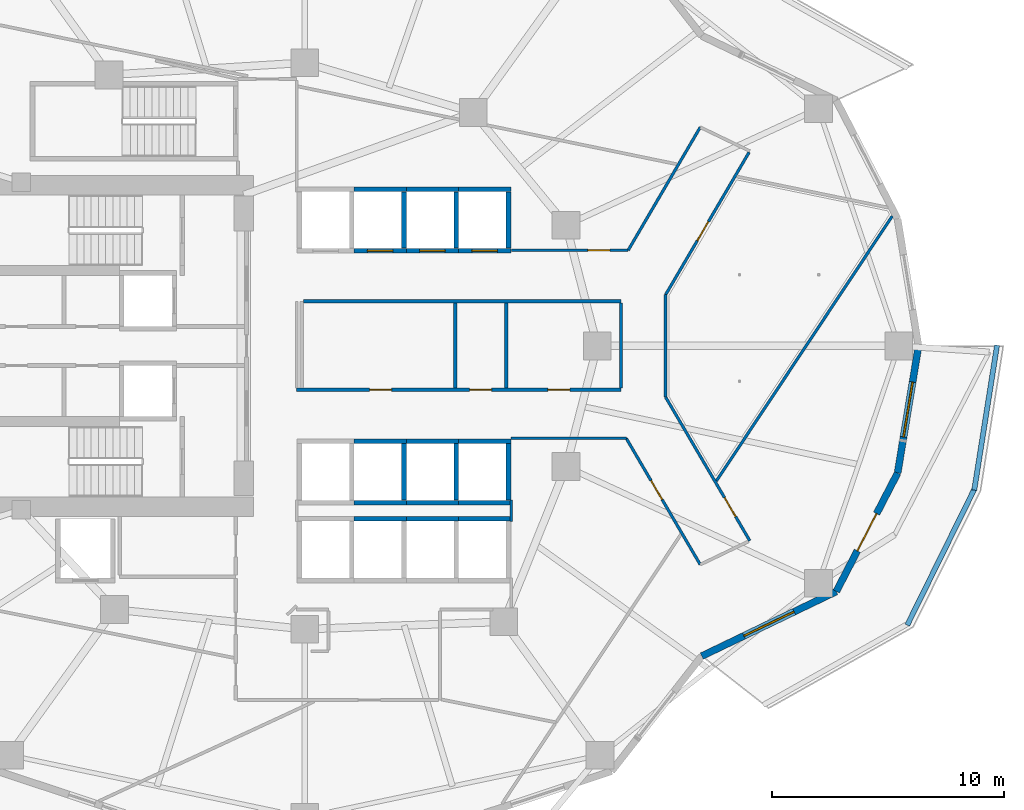
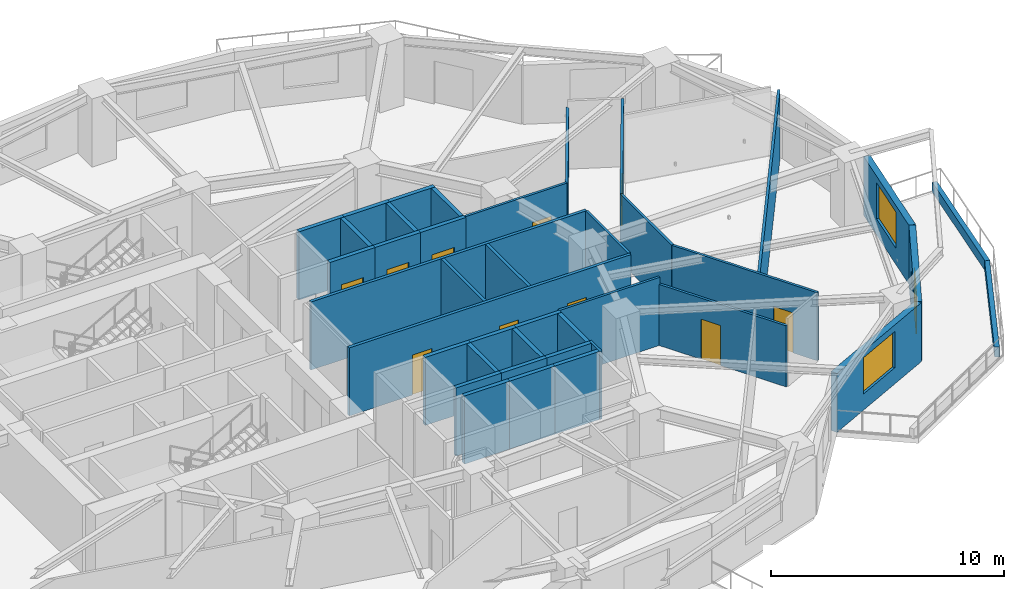
# One storey, part 5 of 14: 40 walls, 11 doors, 2 windows, 13 openings.
"""IFC4 building model written with IfcOpenShell, lengths in metres."""

from ifc_helpers import new_model, si_unit, direction, frame, frame_2d, origin, place, context, subcontext, project, spatial, rectangle, extrude, material, layer, layer_set, type_object, element, fill, save


model = new_model("IFC4")

# Units and contexts
model_context = context("Model", 3, precision=1e-05, world=origin(), true_north=direction((0.0, 1.0)))
body_context = subcontext(model_context, "Body", "Model", "MODEL_VIEW")
ifc_project = project(units=[si_unit("LENGTHUNIT", "METRE"), si_unit("AREAUNIT", "SQUARE_METRE"), si_unit("VOLUMEUNIT", "CUBIC_METRE"), si_unit("PLANEANGLEUNIT", "RADIAN"), si_unit("MASSUNIT", "GRAM", prefix="KILO")], contexts=[model_context])

# Site, building, storey
site_placement = place(None, origin())
site = spatial("IfcSite", under=ifc_project, at=site_placement, CompositionType="ELEMENT")
building_placement = place(site_placement, origin())
building = spatial("IfcBuilding", under=site, at=building_placement, Name="Kolvaren Gate Tower and Convention Centre", CompositionType="ELEMENT")
storey_placement = place(building_placement, frame((0.0, 0.0, 57.300048828125)))
storey = spatial("IfcBuildingStorey", under=building, at=storey_placement, Name="L13", CompositionType="ELEMENT", Elevation=57.300048828125)

# Wall, opening, door
ifc_material_1 = material(Name="Fire-Rated Acoustic Gypsum Stud Partition", Category="gypsum")
ifc_layer_1 = layer(ifc_material_1, 0.1201171875)
ifc_layer_set_1 = layer_set([ifc_layer_1], Name="Fire-Rated Acoustic Gypsum Stud Partition")
wall_type_1 = type_object("IfcWallType", Name="ARCH-WL-PART-120", PredefinedType="PARTITIONING", material=ifc_layer_set_1)
wall_1_placement = place(storey_placement, frame((39.02001953125, 31.1201171875, 0.0), z_axis=(0.0, 0.0, 1.0), x_axis=(1.0, 0.0, 0.0)))
wall_1 = element("IfcWall", 1, at=wall_1_placement, inside=storey, type_object=wall_type_1, Name="Interior Partition WL-L13-INT-026", PredefinedType="PARTITIONING", context=body_context, shape_type="SweptSolid", body=[
    extrude(rectangle(XDim=5.035888671875, YDim=0.1201171875, at=frame_2d((2.51806640625, 0.0))), origin(), (0.0, 0.0, 1.0), 3.570068359375),
])
opening_1_placement = place(wall_1_placement, frame((3.302978515625, 0.0, 0.0)))
opening_1 = element("IfcOpeningElement", 2, at=opening_1_placement, cuts=wall_1, Name="Opening DR-01", PredefinedType="OPENING", context=body_context, shape_type="SweptSolid", body=[
    extrude(rectangle(XDim=0.949951171875, YDim=2.10009765625, at=frame_2d((0.47509765625, 1.050048828125))), frame((0.0, 0.070068359375, 0.0), z_axis=(0.0, -1.0, 0.0), x_axis=(1.0, 0.0, 0.0)), (0.0, 0.0, 1.0), 0.14013671875),
])
ifc_material_2 = material(Name="Painted Architectural Steelwork ASTM A500 Grade C 345 MPa", Category="steel")
door_type_1 = type_object("IfcDoorType", Name="ARCH-DR-RISER-950", OperationType="SINGLE_SWING_RIGHT", PredefinedType="DOOR", material=ifc_material_2)
door_1_placement = place(opening_1_placement, origin())
door_1 = element("IfcDoor", 3, at=door_1_placement, inside=storey, type_object=door_type_1, Name="Client Concierge Reception Door", OperationType="SINGLE_SWING_RIGHT", OverallHeight=2.10009765625, OverallWidth=0.949951171875, PredefinedType="DOOR", context=body_context, shape_type="SweptSolid", body=[
    extrude(rectangle(XDim=0.949951171875, YDim=2.10009765625, at=frame_2d((0.47509765625, 1.050048828125))), frame((0.0, 0.02490234375, 0.0), z_axis=(0.0, -1.0, 0.0), x_axis=(1.0, 0.0, 0.0)), (0.0, 0.0, 1.0), 0.050048828125),
])
fill(opening_1, door_1)

# Wall
wall_2_placement = place(storey_placement, frame((44.055908203125, 31.1201171875, 0.0), z_axis=(0.0, 0.0, 1.0), x_axis=(0.505570543943, 0.86278527172, 0.0)))
element("IfcWall", 4, at=wall_2_placement, inside=storey, type_object=wall_type_1, Name="Interior Partition WL-L13-INT-027", PredefinedType="PARTITIONING", context=body_context, shape_type="SweptSolid", body=[
    extrude(rectangle(XDim=6.1416015625, YDim=0.1201171875, at=frame_2d((3.07080078125, 0.0))), origin(), (0.0, 0.0, 1.0), 3.204833984375),
])

# Wall, opening, door
wall_3_placement = place(storey_placement, frame((45.669921875, 29.20703125, 0.0), z_axis=(0.0, 0.0, 1.0), x_axis=(0.505582857323, 0.86277805627, 0.0)))
wall_3 = element("IfcWall", 5, at=wall_3_placement, inside=storey, type_object=wall_type_1, Name="Interior Partition WL-L13-INT-029", PredefinedType="PARTITIONING", context=body_context, shape_type="SweptSolid", body=[
    extrude(rectangle(XDim=7.107666015625, YDim=0.1201171875, at=frame_2d((3.5537109375, 0.0))), origin(), (0.0, 0.0, 1.0), 3.570068359375),
])
opening_2_placement = place(wall_3_placement, frame((2.694580078125, 0.0, 0.0)))
opening_2 = element("IfcOpeningElement", 6, at=opening_2_placement, cuts=wall_3, Name="Opening DR-01", PredefinedType="OPENING", context=body_context, shape_type="SweptSolid", body=[
    extrude(rectangle(XDim=0.949951171875, YDim=2.10009765625, at=frame_2d((0.47509765625, 1.050048828125))), frame((0.0, 0.070068359375, 0.0), z_axis=(0.0, -1.0, 0.0), x_axis=(1.0, 0.0, 0.0)), (0.0, 0.0, 1.0), 0.14013671875),
])
door_2_placement = place(opening_2_placement, origin())
door_2 = element("IfcDoor", 7, at=door_2_placement, inside=storey, type_object=door_type_1, Name="Materials Exhibition Boutique Door", OperationType="SINGLE_SWING_LEFT", OverallHeight=2.10009765625, OverallWidth=0.949951171875, PredefinedType="DOOR", context=body_context, shape_type="SweptSolid", body=[
    extrude(rectangle(XDim=0.949951171875, YDim=2.10009765625, at=frame_2d((0.47509765625, 1.050048828125))), frame((0.0, 0.02490234375, 0.0), z_axis=(0.0, -1.0, 0.0), x_axis=(1.0, 0.0, 0.0)), (0.0, 0.0, 1.0), 0.050048828125),
])
fill(opening_2, door_2)

# Wall
wall_4_placement = place(storey_placement, frame((45.669921875, 24.79296875, 0.0), z_axis=(0.0, 0.0, 1.0), x_axis=(0.0, 1.0, 0.0)))
element("IfcWall", 8, at=wall_4_placement, inside=storey, type_object=wall_type_1, Name="Interior Partition WL-L13-INT-030", PredefinedType="PARTITIONING", context=body_context, shape_type="SweptSolid", body=[
    extrude(rectangle(XDim=4.4140625, YDim=0.1201171875, at=frame_2d((2.20703125, 0.0))), origin(), (0.0, 0.0, 1.0), 3.570068359375),
])

# Wall, opening, door
wall_5_placement = place(storey_placement, frame((45.669921875, 24.79296875, 0.0), z_axis=(0.0, 0.0, 1.0), x_axis=(0.505584917928, -0.862776848764, 0.0)))
wall_5 = element("IfcWall", 9, at=wall_5_placement, inside=storey, type_object=wall_type_1, Name="Interior Partition WL-L13-INT-031", PredefinedType="PARTITIONING", context=body_context, shape_type="SweptSolid", body=[
    extrude(rectangle(XDim=7.169921875, YDim=0.1201171875, at=frame_2d((3.5849609375, 0.0))), origin(), (0.0, 0.0, 1.0), 3.570068359375),
])
opening_3_placement = place(wall_5_placement, frame((5.015869140625, 0.0, 0.0)))
opening_3 = element("IfcOpeningElement", 10, at=opening_3_placement, cuts=wall_5, Name="Opening DR-01", PredefinedType="OPENING", context=body_context, shape_type="SweptSolid", body=[
    extrude(rectangle(XDim=0.949951171875, YDim=2.10009765625, at=frame_2d((0.47509765625, 1.050048828125))), frame((0.0, 0.070068359375, 0.0), z_axis=(0.0, -1.0, 0.0), x_axis=(1.0, 0.0, 0.0)), (0.0, 0.0, 1.0), 0.14013671875),
])
door_3_placement = place(opening_3_placement, origin())
door_3 = element("IfcDoor", 11, at=door_3_placement, inside=storey, type_object=door_type_1, Name="Staff Dining and Bistro Cafe Door", OperationType="SINGLE_SWING_LEFT", OverallHeight=2.10009765625, OverallWidth=0.949951171875, PredefinedType="DOOR", context=body_context, shape_type="SweptSolid", body=[
    extrude(rectangle(XDim=0.949951171875, YDim=2.10009765625, at=frame_2d((0.47509765625, 1.050048828125))), frame((0.0, 0.02490234375, 0.0), z_axis=(0.0, -1.0, 0.0), x_axis=(1.0, 0.0, 0.0)), (0.0, 0.0, 1.0), 0.050048828125),
])
fill(opening_3, door_3)

wall_6_placement = place(storey_placement, frame((43.97412109375, 23.02001953125, 0.0), z_axis=(0.0, 0.0, 1.0), x_axis=(0.505531634194, -0.862808070679, 0.0)))
wall_6 = element("IfcWall", 12, at=wall_6_placement, inside=storey, type_object=wall_type_1, Name="Interior Partition WL-L13-INT-033", PredefinedType="PARTITIONING", context=body_context, shape_type="SweptSolid", body=[
    extrude(rectangle(XDim=6.3037109375, YDim=0.1201171875, at=frame_2d((3.15185546875, 0.0))), origin(), (0.0, 0.0, 1.0), 3.204833984375),
])
opening_4_placement = place(wall_6_placement, frame((2.108642578125, 0.0, 0.0)))
opening_4 = element("IfcOpeningElement", 13, at=opening_4_placement, cuts=wall_6, Name="Opening DR-01", PredefinedType="OPENING", context=body_context, shape_type="SweptSolid", body=[
    extrude(rectangle(XDim=0.949951171875, YDim=2.10009765625, at=frame_2d((0.47509765625, 1.050048828125))), frame((0.0, 0.070068359375, 0.0), z_axis=(0.0, -1.0, 0.0), x_axis=(1.0, 0.0, 0.0)), (0.0, 0.0, 1.0), 0.14013671875),
])
door_4_placement = place(opening_4_placement, origin())
door_4 = element("IfcDoor", 14, at=door_4_placement, inside=storey, type_object=door_type_1, Name="Client Concierge Reception Door", OperationType="SINGLE_SWING_RIGHT", OverallHeight=2.10009765625, OverallWidth=0.949951171875, PredefinedType="DOOR", context=body_context, shape_type="SweptSolid", body=[
    extrude(rectangle(XDim=0.949951171875, YDim=2.10009765625, at=frame_2d((0.47509765625, 1.050048828125))), frame((0.0, 0.02490234375, 0.0), z_axis=(0.0, -1.0, 0.0), x_axis=(1.0, 0.0, 0.0)), (0.0, 0.0, 1.0), 0.050048828125),
])
fill(opening_4, door_4)

# Walls
wall_7_placement = place(storey_placement, frame((39.0, 23.02001953125, 0.0), z_axis=(0.0, 0.0, 1.0), x_axis=(1.0, 0.0, 0.0)))
element("IfcWall", 15, at=wall_7_placement, inside=storey, type_object=wall_type_1, Name="Interior Partition WL-L13-INT-034", PredefinedType="PARTITIONING", context=body_context, shape_type="SweptSolid", body=[
    extrude(rectangle(XDim=4.97412109375, YDim=0.1201171875, at=frame_2d((2.487060546875, 0.0))), origin(), (0.0, 0.0, 1.0), 3.570068359375),
])
wall_8_placement = place(storey_placement, frame((39.02001953125, 19.43994140625, 0.0), z_axis=(0.0, 0.0, 1.0), x_axis=(0.0, 1.0, 0.0)))
element("IfcWall", 16, at=wall_8_placement, inside=storey, type_object=wall_type_1, Name="Interior Partition WL-L13-INT-035 (2)", PredefinedType="PARTITIONING", context=body_context, shape_type="SweptSolid", body=[
    extrude(rectangle(XDim=0.920166015625, YDim=0.1201171875, at=frame_2d((0.4599609375, 0.0))), origin(), (0.0, 0.0, 1.0), 3.570068359375),
])
wall_9_placement = place(storey_placement, frame((43.75, 25.197021484375, 0.0), z_axis=(0.0, 0.0, 1.0), x_axis=(0.0, 1.0, 0.0)))
element("IfcWall", 17, at=wall_9_placement, inside=storey, type_object=wall_type_1, Name="Interior Partition WL-L13-INT-036", PredefinedType="PARTITIONING", context=body_context, shape_type="SweptSolid", body=[
    extrude(rectangle(XDim=3.64599609375, YDim=0.1201171875, at=frame_2d((1.822998046875, 0.0))), origin(), (0.0, 0.0, 1.0), 3.570068359375),
])
wall_10_placement = place(storey_placement, frame((47.8564453125, 21.1845703125, 0.0), z_axis=(0.0, 0.0, 1.0), x_axis=(0.553102657985, 0.833113107405, 0.0)))
element("IfcWall", 18, at=wall_10_placement, inside=storey, type_object=wall_type_1, Name="Interior Partition WL-L13-INT-044", PredefinedType="PARTITIONING", context=body_context, shape_type="SweptSolid", body=[
    extrude(rectangle(XDim=13.6923828125, YDim=0.1201171875, at=frame_2d((6.84619140625, 0.0))), origin(), (0.0, 0.0, 1.0), 3.570068359375),
])
ifc_material_3 = material(Name="Piedmont Cream Honed Limestone Cladding", Category="masonry")
ifc_layer_2 = layer(ifc_material_3, 0.219970703125)
ifc_layer_set_2 = layer_set([ifc_layer_2], Name="Piedmont Cream Honed Limestone Cladding")
wall_type_2 = type_object("IfcWallType", Name="ARCH-WL-PLANTER-220", PredefinedType="PARAPET", material=ifc_layer_set_2)
wall_11_placement = place(storey_placement, frame((56.077392578125, 14.978515625, 0.0), z_axis=(0.0, 0.0, 1.0), x_axis=(0.442686636348, 0.89667638644, 0.0)))
element("IfcWall", 19, at=wall_11_placement, inside=storey, type_object=wall_type_2, Name="Vertical-Forest Balcony Stone Planter Kerb PK-L13-4.2", PredefinedType="PARAPET", context=body_context, shape_type="SweptSolid", body=[
    extrude(rectangle(XDim=6.544677734375, YDim=0.219970703125, at=frame_2d((3.2724609375, 0.0))), origin(), (0.0, 0.0, 1.0), 0.52001953125),
])
wall_12_placement = place(storey_placement, frame((58.9619140625, 20.7880859375, 0.0), z_axis=(0.0, 0.0, 1.0), x_axis=(0.15545655238, 0.987842730561, 0.0)))
element("IfcWall", 20, at=wall_12_placement, inside=storey, type_object=wall_type_2, Name="Vertical-Forest Balcony Stone Planter Kerb PK-L13-4.3", PredefinedType="PARAPET", context=body_context, shape_type="SweptSolid", body=[
    extrude(rectangle(XDim=6.318115234375, YDim=0.219970703125, at=frame_2d((3.1591796875, 0.0))), origin(), (0.0, 0.0, 1.0), 0.52001953125),
])
ifc_material_4 = material(Name="Autoclaved Aerated Masonry Blockwork Class 4 (4.0 MPa)", Category="masonry")
ifc_layer_3 = layer(ifc_material_4, 0.199951171875)
ifc_layer_set_3 = layer_set([ifc_layer_3], Name="Autoclaved Aerated Masonry Blockwork Class 4 (4.0 MPa)")
wall_type_3 = type_object("IfcWallType", Name="ARCH-WL-SHAFT-200", PredefinedType="SOLIDWALL", material=ifc_layer_set_3)
wall_13_placement = place(storey_placement, frame((32.25, 33.75, 0.0), z_axis=(0.0, 0.0, 1.0), x_axis=(1.0, 0.0, 0.0)))
element("IfcWall", 21, at=wall_13_placement, inside=storey, type_object=wall_type_3, Name="Elevator PL-02 L13 Fire Shaft Wall N", PredefinedType="SOLIDWALL", context=body_context, shape_type="SweptSolid", body=[
    extrude(rectangle(XDim=2.25, YDim=0.199951171875, at=frame_2d((1.125, 0.0))), origin(), (0.0, 0.0, 1.0), 3.570068359375),
])

# Wall, opening, door
wall_14_placement = place(storey_placement, frame((32.25, 31.10009765625, 0.0), z_axis=(0.0, 0.0, 1.0), x_axis=(1.0, 0.0, 0.0)))
wall_14 = element("IfcWall", 22, at=wall_14_placement, inside=storey, type_object=wall_type_3, Name="Elevator PL-02 L13 Fire Shaft Wall S", PredefinedType="SOLIDWALL", context=body_context, shape_type="SweptSolid", body=[
    extrude(rectangle(XDim=2.25, YDim=0.199951171875, at=frame_2d((1.125, 0.0))), origin(), (0.0, 0.0, 1.0), 3.570068359375),
])
opening_5_placement = place(wall_14_placement, frame((0.574951171875, 0.0, 0.0)))
opening_5 = element("IfcOpeningElement", 23, at=opening_5_placement, cuts=wall_14, Name="Opening LD", PredefinedType="OPENING", context=body_context, shape_type="SweptSolid", body=[
    extrude(rectangle(XDim=1.10009765625, YDim=2.199951171875, at=frame_2d((0.550048828125, 1.10009765625))), frame((0.0, 0.10986328125, 0.0), z_axis=(0.0, -1.0, 0.0), x_axis=(1.0, 0.0, 0.0)), (0.0, 0.0, 1.0), 0.219970703125),
])
ifc_material_5 = material(Name="Brushed Stainless Steel Grade 316L", Category="steel")
door_type_2 = type_object("IfcDoorType", Name="ARCH-DR-LIFT-1100", OperationType="SLIDING_TO_LEFT", PredefinedType="DOOR", material=ifc_material_5)
door_5_placement = place(opening_5_placement, origin())
door_5 = element("IfcDoor", 24, at=door_5_placement, inside=storey, type_object=door_type_2, Name="Elevator PL-02 L13 Sliding Landing Door", OperationType="SLIDING_TO_LEFT", OverallHeight=2.199951171875, OverallWidth=1.10009765625, PredefinedType="DOOR", context=body_context, shape_type="SweptSolid", body=[
    extrude(rectangle(XDim=1.10009765625, YDim=2.199951171875, at=frame_2d((0.550048828125, 1.10009765625))), frame((0.0, 0.02490234375, 0.0), z_axis=(0.0, -1.0, 0.0), x_axis=(1.0, 0.0, 0.0)), (0.0, 0.0, 1.0), 0.050048828125),
])
fill(opening_5, door_5)

# Walls
wall_15_placement = place(storey_placement, frame((34.39990234375, 31.2099609375, 0.0), z_axis=(0.0, 0.0, 1.0), x_axis=(0.0, 1.0, 0.0)))
element("IfcWall", 25, at=wall_15_placement, inside=storey, type_object=wall_type_3, Name="Elevator PL-02 L13 Fire Shaft Wall E", PredefinedType="SOLIDWALL", context=body_context, shape_type="SweptSolid", body=[
    extrude(rectangle(XDim=2.429931640625, YDim=0.199951171875, at=frame_2d((1.21484375, 0.0))), origin(), (0.0, 0.0, 1.0), 3.570068359375),
])
wall_16_placement = place(storey_placement, frame((34.5, 33.75, 0.0), z_axis=(0.0, 0.0, 1.0), x_axis=(1.0, 0.0, 0.0)))
element("IfcWall", 26, at=wall_16_placement, inside=storey, type_object=wall_type_3, Name="Elevator PL-03 L13 Fire Shaft Wall N", PredefinedType="SOLIDWALL", context=body_context, shape_type="SweptSolid", body=[
    extrude(rectangle(XDim=2.25, YDim=0.199951171875, at=frame_2d((1.125, 0.0))), origin(), (0.0, 0.0, 1.0), 3.570068359375),
])

# Wall, opening, door
wall_17_placement = place(storey_placement, frame((34.5, 31.10009765625, 0.0), z_axis=(0.0, 0.0, 1.0), x_axis=(1.0, 0.0, 0.0)))
wall_17 = element("IfcWall", 27, at=wall_17_placement, inside=storey, type_object=wall_type_3, Name="Elevator PL-03 L13 Fire Shaft Wall S", PredefinedType="SOLIDWALL", context=body_context, shape_type="SweptSolid", body=[
    extrude(rectangle(XDim=2.25, YDim=0.199951171875, at=frame_2d((1.125, 0.0))), origin(), (0.0, 0.0, 1.0), 3.570068359375),
])
opening_6_placement = place(wall_17_placement, frame((0.574951171875, 0.0, 0.0)))
opening_6 = element("IfcOpeningElement", 28, at=opening_6_placement, cuts=wall_17, Name="Opening LD", PredefinedType="OPENING", context=body_context, shape_type="SweptSolid", body=[
    extrude(rectangle(XDim=1.10009765625, YDim=2.199951171875, at=frame_2d((0.550048828125, 1.10009765625))), frame((0.0, 0.10986328125, 0.0), z_axis=(0.0, -1.0, 0.0), x_axis=(1.0, 0.0, 0.0)), (0.0, 0.0, 1.0), 0.219970703125),
])
door_6_placement = place(opening_6_placement, origin())
door_6 = element("IfcDoor", 29, at=door_6_placement, inside=storey, type_object=door_type_2, Name="Elevator PL-03 L13 Sliding Landing Door", OperationType="SLIDING_TO_LEFT", OverallHeight=2.199951171875, OverallWidth=1.10009765625, PredefinedType="DOOR", context=body_context, shape_type="SweptSolid", body=[
    extrude(rectangle(XDim=1.10009765625, YDim=2.199951171875, at=frame_2d((0.550048828125, 1.10009765625))), frame((0.0, 0.02490234375, 0.0), z_axis=(0.0, -1.0, 0.0), x_axis=(1.0, 0.0, 0.0)), (0.0, 0.0, 1.0), 0.050048828125),
])
fill(opening_6, door_6)

# Walls
wall_18_placement = place(storey_placement, frame((36.64990234375, 31.2099609375, 0.0), z_axis=(0.0, 0.0, 1.0), x_axis=(0.0, 1.0, 0.0)))
element("IfcWall", 30, at=wall_18_placement, inside=storey, type_object=wall_type_3, Name="Elevator PL-03 L13 Fire Shaft Wall E", PredefinedType="SOLIDWALL", context=body_context, shape_type="SweptSolid", body=[
    extrude(rectangle(XDim=2.429931640625, YDim=0.199951171875, at=frame_2d((1.21484375, 0.0))), origin(), (0.0, 0.0, 1.0), 3.570068359375),
])
wall_19_placement = place(storey_placement, frame((36.75, 33.75, 0.0), z_axis=(0.0, 0.0, 1.0), x_axis=(1.0, 0.0, 0.0)))
element("IfcWall", 31, at=wall_19_placement, inside=storey, type_object=wall_type_3, Name="Elevator PL-04 L13 Fire Shaft Wall N", PredefinedType="SOLIDWALL", context=body_context, shape_type="SweptSolid", body=[
    extrude(rectangle(XDim=2.25, YDim=0.199951171875, at=frame_2d((1.125, 0.0))), origin(), (0.0, 0.0, 1.0), 3.570068359375),
])

# Wall, opening, door
wall_20_placement = place(storey_placement, frame((36.75, 31.10009765625, 0.0), z_axis=(0.0, 0.0, 1.0), x_axis=(1.0, 0.0, 0.0)))
wall_20 = element("IfcWall", 32, at=wall_20_placement, inside=storey, type_object=wall_type_3, Name="Elevator PL-04 L13 Fire Shaft Wall S", PredefinedType="SOLIDWALL", context=body_context, shape_type="SweptSolid", body=[
    extrude(rectangle(XDim=2.25, YDim=0.199951171875, at=frame_2d((1.125, 0.0))), origin(), (0.0, 0.0, 1.0), 3.570068359375),
])
opening_7_placement = place(wall_20_placement, frame((0.574951171875, 0.0, 0.0)))
opening_7 = element("IfcOpeningElement", 33, at=opening_7_placement, cuts=wall_20, Name="Opening LD", PredefinedType="OPENING", context=body_context, shape_type="SweptSolid", body=[
    extrude(rectangle(XDim=1.10009765625, YDim=2.199951171875, at=frame_2d((0.550048828125, 1.10009765625))), frame((0.0, 0.10986328125, 0.0), z_axis=(0.0, -1.0, 0.0), x_axis=(1.0, 0.0, 0.0)), (0.0, 0.0, 1.0), 0.219970703125),
])
door_7_placement = place(opening_7_placement, origin())
door_7 = element("IfcDoor", 34, at=door_7_placement, inside=storey, type_object=door_type_2, Name="Elevator PL-04 L13 Sliding Landing Door", OperationType="SLIDING_TO_LEFT", OverallHeight=2.199951171875, OverallWidth=1.10009765625, PredefinedType="DOOR", context=body_context, shape_type="SweptSolid", body=[
    extrude(rectangle(XDim=1.10009765625, YDim=2.199951171875, at=frame_2d((0.550048828125, 1.10009765625))), frame((0.0, 0.02490234375, 0.0), z_axis=(0.0, -1.0, 0.0), x_axis=(1.0, 0.0, 0.0)), (0.0, 0.0, 1.0), 0.050048828125),
])
fill(opening_7, door_7)

# Walls
wall_21_placement = place(storey_placement, frame((38.89990234375, 31.2099609375, 0.0), z_axis=(0.0, 0.0, 1.0), x_axis=(0.0, 1.0, 0.0)))
element("IfcWall", 35, at=wall_21_placement, inside=storey, type_object=wall_type_3, Name="Elevator PL-04 L13 Fire Shaft Wall E", PredefinedType="SOLIDWALL", context=body_context, shape_type="SweptSolid", body=[
    extrude(rectangle(XDim=2.429931640625, YDim=0.199951171875, at=frame_2d((1.21484375, 0.0))), origin(), (0.0, 0.0, 1.0), 3.570068359375),
])
for number, where, z_axis, x_axis, name in (
    (36, (32.25, 19.550048828125, 0.0), (0.0, 0.0, 1.0), (1.0, 0.0, 0.0), "Elevator PL-06 L13 Fire Shaft Wall N"),
    (37, (34.5, 19.550048828125, 0.0), (0.0, 0.0, 1.0), (1.0, 0.0, 0.0), "Elevator PL-07 L13 Fire Shaft Wall N"),
    (38, (36.75, 19.550048828125, 0.0), (0.0, 0.0, 1.0), (1.0, 0.0, 0.0), "Elevator PL-08 L13 Fire Shaft Wall N"),
    (39, (32.25, 22.89990234375, 0.0), (0.0, 0.0, 1.0), (1.0, 0.0, 0.0), "Elevator PL-10 L13 Fire Shaft Wall N"),
    (40, (32.25, 20.25, 0.0), (0.0, 0.0, 1.0), (1.0, 0.0, 0.0), "Elevator PL-10 L13 Fire Shaft Wall S"),
):
    element("IfcWall", number, at=place(storey_placement, frame(where, z_axis=z_axis, x_axis=x_axis)), inside=storey, type_object=wall_type_3, Name=name, PredefinedType="SOLIDWALL", context=body_context, shape_type="SweptSolid", body=[
        extrude(rectangle(XDim=2.25, YDim=0.199951171875, at=frame_2d((1.125, 0.0))), origin(), (0.0, 0.0, 1.0), 3.570068359375),
    ])
wall_22_placement = place(storey_placement, frame((34.39990234375, 20.360107421875, 0.0), z_axis=(0.0, 0.0, 1.0), x_axis=(0.0, 1.0, 0.0)))
element("IfcWall", 41, at=wall_22_placement, inside=storey, type_object=wall_type_3, Name="Elevator PL-10 L13 Fire Shaft Wall E", PredefinedType="SOLIDWALL", context=body_context, shape_type="SweptSolid", body=[
    extrude(rectangle(XDim=2.429931640625, YDim=0.199951171875, at=frame_2d((1.21484375, 0.0))), origin(), (0.0, 0.0, 1.0), 3.570068359375),
])
for number, where, z_axis, x_axis, name in (
    (42, (34.5, 22.89990234375, 0.0), (0.0, 0.0, 1.0), (1.0, 0.0, 0.0), "Elevator PL-11 L13 Fire Shaft Wall N"),
    (43, (34.5, 20.25, 0.0), (0.0, 0.0, 1.0), (1.0, 0.0, 0.0), "Elevator PL-11 L13 Fire Shaft Wall S"),
):
    element("IfcWall", number, at=place(storey_placement, frame(where, z_axis=z_axis, x_axis=x_axis)), inside=storey, type_object=wall_type_3, Name=name, PredefinedType="SOLIDWALL", context=body_context, shape_type="SweptSolid", body=[
        extrude(rectangle(XDim=2.25, YDim=0.199951171875, at=frame_2d((1.125, 0.0))), origin(), (0.0, 0.0, 1.0), 3.570068359375),
    ])
wall_23_placement = place(storey_placement, frame((36.64990234375, 20.360107421875, 0.0), z_axis=(0.0, 0.0, 1.0), x_axis=(0.0, 1.0, 0.0)))
element("IfcWall", 44, at=wall_23_placement, inside=storey, type_object=wall_type_3, Name="Elevator PL-11 L13 Fire Shaft Wall E", PredefinedType="SOLIDWALL", context=body_context, shape_type="SweptSolid", body=[
    extrude(rectangle(XDim=2.429931640625, YDim=0.199951171875, at=frame_2d((1.21484375, 0.0))), origin(), (0.0, 0.0, 1.0), 3.570068359375),
])
for number, where, z_axis, x_axis, name in (
    (45, (36.75, 22.89990234375, 0.0), (0.0, 0.0, 1.0), (1.0, 0.0, 0.0), "Elevator PL-12 L13 Fire Shaft Wall N"),
    (46, (36.75, 20.25, 0.0), (0.0, 0.0, 1.0), (1.0, 0.0, 0.0), "Elevator PL-12 L13 Fire Shaft Wall S"),
):
    element("IfcWall", number, at=place(storey_placement, frame(where, z_axis=z_axis, x_axis=x_axis)), inside=storey, type_object=wall_type_3, Name=name, PredefinedType="SOLIDWALL", context=body_context, shape_type="SweptSolid", body=[
        extrude(rectangle(XDim=2.25, YDim=0.199951171875, at=frame_2d((1.125, 0.0))), origin(), (0.0, 0.0, 1.0), 3.570068359375),
    ])
wall_24_placement = place(storey_placement, frame((38.89990234375, 20.360107421875, 0.0), z_axis=(0.0, 0.0, 1.0), x_axis=(0.0, 1.0, 0.0)))
element("IfcWall", 47, at=wall_24_placement, inside=storey, type_object=wall_type_3, Name="Elevator PL-12 L13 Fire Shaft Wall E", PredefinedType="SOLIDWALL", context=body_context, shape_type="SweptSolid", body=[
    extrude(rectangle(XDim=2.429931640625, YDim=0.199951171875, at=frame_2d((1.21484375, 0.0))), origin(), (0.0, 0.0, 1.0), 3.570068359375),
])

# Wall, opening, window
ifc_layer_4 = layer(ifc_material_3, 0.300048828125)
ifc_layer_set_4 = layer_set([ifc_layer_4], Name="Piedmont Cream Honed Limestone Cladding")
wall_type_4 = type_object("IfcWallType", Name="ARCH-WL-STONE-300", PredefinedType="SOLIDWALL", material=ifc_layer_set_4)
wall_25_placement = place(storey_placement, frame((47.223876953125, 13.639892578125, 0.0), z_axis=(0.0, 0.0, 1.0), x_axis=(0.901354747727, 0.433081538224, 0.0)))
wall_25 = element("IfcWall", 48, at=wall_25_placement, inside=storey, type_object=wall_type_4, Name="Tower L13 Honed Stone Spandrel Wall EW-21", PredefinedType="SOLIDWALL", context=body_context, shape_type="SweptSolid", body=[
    extrude(rectangle(XDim=6.430908203125, YDim=0.300048828125, at=frame_2d((3.21533203125, 0.0))), origin(), (0.0, 0.0, 1.0), 3.093017578125),
])
opening_8_placement = place(wall_25_placement, frame((2.014892578125, 0.0, 0.85009765625)))
opening_8 = element("IfcOpeningElement", 49, at=opening_8_placement, cuts=wall_25, Name="Opening W-01", PredefinedType="OPENING", context=body_context, shape_type="SweptSolid", body=[
    extrude(rectangle(XDim=2.39990234375, YDim=1.89990234375, at=frame_2d((1.199951171875, 0.949951171875))), frame((0.0, 0.159912109375, 0.0), z_axis=(0.0, -1.0, 0.0), x_axis=(1.0, 0.0, 0.0)), (0.0, 0.0, 1.0), 0.320068359375),
])
ifc_material_6 = material(Name="Low-E Triple Insulated Glazing Unit 44 mm", Category="glass")
window_type = type_object("IfcWindowType", Name="ARCH-WN-OFF-2400", PartitioningType="SINGLE_PANEL", PredefinedType="WINDOW", material=ifc_material_6)
window_1_placement = place(opening_8_placement, origin())
window_1 = element("IfcWindow", 50, at=window_1_placement, inside=storey, type_object=window_type, Name="Tower L13 Punched Stone Facade Window W-21", OverallHeight=1.89990234375, OverallWidth=2.39990234375, PartitioningType="SINGLE_PANEL", PredefinedType="WINDOW", context=body_context, shape_type="SweptSolid", body=[
    extrude(rectangle(XDim=2.39990234375, YDim=1.89990234375, at=frame_2d((1.199951171875, 0.949951171875))), frame((0.0, 0.030029296875, 0.0), z_axis=(0.0, -1.0, 0.0), x_axis=(1.0, 0.0, 0.0)), (0.0, 0.0, 1.0), 0.06005859375),
])
fill(opening_8, window_1)

# Wall, opening, door
wall_26_placement = place(storey_placement, frame((53.0205078125, 16.425048828125, 0.0), z_axis=(0.0, 0.0, 1.0), x_axis=(0.459800981414, 0.888021991558, 0.0)))
wall_26 = element("IfcWall", 51, at=wall_26_placement, inside=storey, type_object=wall_type_4, Name="Tower L13 Honed Stone Spandrel Wall EW-22", PredefinedType="SOLIDWALL", context=body_context, shape_type="SweptSolid", body=[
    extrude(rectangle(XDim=5.744140625, YDim=0.300048828125, at=frame_2d((2.8720703125, 0.0))), origin(), (0.0, 0.0, 1.0), 3.093017578125),
])
opening_9_placement = place(wall_26_placement, frame((1.971923828125, 0.0, 0.0)))
opening_9 = element("IfcOpeningElement", 52, at=opening_9_placement, cuts=wall_26, Name="Opening DB-01", PredefinedType="OPENING", context=body_context, shape_type="SweptSolid", body=[
    extrude(rectangle(XDim=1.800048828125, YDim=2.25, at=frame_2d((0.89990234375, 1.125))), frame((0.0, 0.159912109375, 0.0), z_axis=(0.0, -1.0, 0.0), x_axis=(1.0, 0.0, 0.0)), (0.0, 0.0, 1.0), 0.320068359375),
])
ifc_material_7 = material(Name="Anodized Architectural Aluminium Alloy 6063-T6", Category="aluminium")
door_type_3 = type_object("IfcDoorType", Name="ARCH-DR-BALC-1800", OperationType="SLIDING_TO_LEFT", PredefinedType="DOOR", material=ifc_material_7)
door_8_placement = place(opening_9_placement, frame((1.800048828125, 0.0, 0.0), z_axis=(0.0, 0.0, 1.0), x_axis=(-1.0, 0.0, 0.0)))
door_8 = element("IfcDoor", 53, at=door_8_placement, inside=storey, type_object=door_type_3, Name="Planted Sky Terrace Access Door DB-L13-22", OperationType="SLIDING_TO_LEFT", OverallHeight=2.25, OverallWidth=1.800048828125, PredefinedType="DOOR", context=body_context, shape_type="SweptSolid", body=[
    extrude(rectangle(XDim=1.800048828125, YDim=2.25, at=frame_2d((0.89990234375, 1.125))), frame((0.0, 0.02490234375, 0.0), z_axis=(0.0, -1.0, 0.0), x_axis=(1.0, 0.0, 0.0)), (0.0, 0.0, 1.0), 0.050048828125),
])
fill(opening_9, door_8)

# Wall, opening, window
wall_27_placement = place(storey_placement, frame((55.66162109375, 21.52587890625, 0.0), z_axis=(0.0, 0.0, 1.0), x_axis=(0.162386212206, 0.986727276447, 0.0)))
wall_27 = element("IfcWall", 54, at=wall_27_placement, inside=storey, type_object=wall_type_4, Name="Tower L13 Honed Stone Spandrel Wall EW-23", PredefinedType="SOLIDWALL", context=body_context, shape_type="SweptSolid", body=[
    extrude(rectangle(XDim=5.5478515625, YDim=0.300048828125, at=frame_2d((2.77392578125, 0.0))), origin(), (0.0, 0.0, 1.0), 3.093017578125),
])
opening_10_placement = place(wall_27_placement, frame((1.573974609375, 0.0, 0.85009765625)))
opening_10 = element("IfcOpeningElement", 55, at=opening_10_placement, cuts=wall_27, Name="Opening W-01", PredefinedType="OPENING", context=body_context, shape_type="SweptSolid", body=[
    extrude(rectangle(XDim=2.39990234375, YDim=1.89990234375, at=frame_2d((1.199951171875, 0.949951171875))), frame((0.0, 0.159912109375, 0.0), z_axis=(0.0, -1.0, 0.0), x_axis=(1.0, 0.0, 0.0)), (0.0, 0.0, 1.0), 0.320068359375),
])
window_2_placement = place(opening_10_placement, origin())
window_2 = element("IfcWindow", 56, at=window_2_placement, inside=storey, type_object=window_type, Name="Tower L13 Punched Stone Facade Window W-23", OverallHeight=1.89990234375, OverallWidth=2.39990234375, PartitioningType="SINGLE_PANEL", PredefinedType="WINDOW", context=body_context, shape_type="SweptSolid", body=[
    extrude(rectangle(XDim=2.39990234375, YDim=1.89990234375, at=frame_2d((1.199951171875, 0.949951171875))), frame((0.0, 0.030029296875, 0.0), z_axis=(0.0, -1.0, 0.0), x_axis=(1.0, 0.0, 0.0)), (0.0, 0.0, 1.0), 0.06005859375),
])
fill(opening_10, window_2)

# Wall, openings, doors
ifc_material_8 = material(Name="Moisture-Resistant Cement-Board Acoustic Partition", Category="gypsum")
ifc_layer_5 = layer(ifc_material_8, 0.14990234375)
ifc_layer_set_5 = layer_set([ifc_layer_5], Name="Moisture-Resistant Cement-Board Acoustic Partition")
wall_type_5 = type_object("IfcWallType", Name="ARCH-WL-WET-150", PredefinedType="PARTITIONING", material=ifc_layer_set_5)
wall_28_placement = place(storey_placement, frame((29.780029296875, 25.1201171875, 0.0), z_axis=(0.0, 0.0, 1.0), x_axis=(1.0, 0.0, 0.0)))
wall_28 = element("IfcWall", 57, at=wall_28_placement, inside=storey, type_object=wall_type_5, Name="Interior Partition WL-L13-INT-012", PredefinedType="PARTITIONING", context=body_context, shape_type="SweptSolid", body=[
    extrude(rectangle(XDim=13.969970703125, YDim=0.14990234375, at=frame_2d((6.98486328125, 0.0))), origin(), (0.0, 0.0, 1.0), 3.570068359375),
])
opening_11_placement = place(wall_28_placement, frame((3.139892578125, 0.0, 0.0)))
opening_11 = element("IfcOpeningElement", 58, at=opening_11_placement, cuts=wall_28, Name="Opening DR-01", PredefinedType="OPENING", context=body_context, shape_type="SweptSolid", body=[
    extrude(rectangle(XDim=0.949951171875, YDim=2.10009765625, at=frame_2d((0.47509765625, 1.050048828125))), frame((0.0, 0.0849609375, 0.0), z_axis=(0.0, -1.0, 0.0), x_axis=(1.0, 0.0, 0.0)), (0.0, 0.0, 1.0), 0.169921875),
])
opening_12_placement = place(wall_28_placement, frame((7.445068359375, 0.0, 0.0)))
opening_12 = element("IfcOpeningElement", 59, at=opening_12_placement, cuts=wall_28, Name="Opening DR-01", PredefinedType="OPENING", context=body_context, shape_type="SweptSolid", body=[
    extrude(rectangle(XDim=0.949951171875, YDim=2.10009765625, at=frame_2d((0.47509765625, 1.050048828125))), frame((0.0, 0.0849609375, 0.0), z_axis=(0.0, -1.0, 0.0), x_axis=(1.0, 0.0, 0.0)), (0.0, 0.0, 1.0), 0.169921875),
])
opening_13_placement = place(wall_28_placement, frame((10.81494140625, 0.0, 0.0)))
opening_13 = element("IfcOpeningElement", 60, at=opening_13_placement, cuts=wall_28, Name="Opening DR-01", PredefinedType="OPENING", context=body_context, shape_type="SweptSolid", body=[
    extrude(rectangle(XDim=0.949951171875, YDim=2.10009765625, at=frame_2d((0.47509765625, 1.050048828125))), frame((0.0, 0.0849609375, 0.0), z_axis=(0.0, -1.0, 0.0), x_axis=(1.0, 0.0, 0.0)), (0.0, 0.0, 1.0), 0.169921875),
])
door_9_placement = place(opening_11_placement, origin())
door_9 = element("IfcDoor", 61, at=door_9_placement, inside=storey, type_object=door_type_1, Name="Accessible Universal Washroom Door", OperationType="SINGLE_SWING_RIGHT", OverallHeight=2.10009765625, OverallWidth=0.949951171875, PredefinedType="DOOR", context=body_context, shape_type="SweptSolid", body=[
    extrude(rectangle(XDim=0.949951171875, YDim=2.10009765625, at=frame_2d((0.47509765625, 1.050048828125))), frame((0.0, 0.02490234375, 0.0), z_axis=(0.0, -1.0, 0.0), x_axis=(1.0, 0.0, 0.0)), (0.0, 0.0, 1.0), 0.050048828125),
])
fill(opening_11, door_9)
door_10_placement = place(opening_12_placement, origin())
door_10 = element("IfcDoor", 62, at=door_10_placement, inside=storey, type_object=door_type_1, Name="Floor Janitor and Supply Store Door", OperationType="SINGLE_SWING_LEFT", OverallHeight=2.10009765625, OverallWidth=0.949951171875, PredefinedType="DOOR", context=body_context, shape_type="SweptSolid", body=[
    extrude(rectangle(XDim=0.949951171875, YDim=2.10009765625, at=frame_2d((0.47509765625, 1.050048828125))), frame((0.0, 0.02490234375, 0.0), z_axis=(0.0, -1.0, 0.0), x_axis=(1.0, 0.0, 0.0)), (0.0, 0.0, 1.0), 0.050048828125),
])
fill(opening_12, door_10)
door_11_placement = place(opening_13_placement, origin())
door_11 = element("IfcDoor", 63, at=door_11_placement, inside=storey, type_object=door_type_1, Name="Bookshop Retail Kiosk Door", OperationType="SINGLE_SWING_RIGHT", OverallHeight=2.10009765625, OverallWidth=0.949951171875, PredefinedType="DOOR", context=body_context, shape_type="SweptSolid", body=[
    extrude(rectangle(XDim=0.949951171875, YDim=2.10009765625, at=frame_2d((0.47509765625, 1.050048828125))), frame((0.0, 0.02490234375, 0.0), z_axis=(0.0, -1.0, 0.0), x_axis=(1.0, 0.0, 0.0)), (0.0, 0.0, 1.0), 0.050048828125),
])
fill(opening_13, door_11)

# Walls
wall_29_placement = place(storey_placement, frame((30.076904296875, 28.919921875, 0.0), z_axis=(0.0, 0.0, 1.0), x_axis=(1.0, 0.0, 0.0)))
element("IfcWall", 64, at=wall_29_placement, inside=storey, type_object=wall_type_5, Name="Interior Partition WL-L13-INT-014", PredefinedType="PARTITIONING", context=body_context, shape_type="SweptSolid", body=[
    extrude(rectangle(XDim=13.673095703125, YDim=0.14990234375, at=frame_2d((6.83642578125, 0.0))), origin(), (0.0, 0.0, 1.0), 3.570068359375),
])
for number, where, z_axis, x_axis, name in (
    (65, (36.60009765625, 25.197021484375, 0.0), (0.0, 0.0, 1.0), (0.0, 1.0, 0.0), "Interior Partition WL-L13-INT-015"),
    (66, (38.800048828125, 25.197021484375, 0.0), (0.0, 0.0, 1.0), (0.0, 1.0, 0.0), "Interior Partition WL-L13-INT-016"),
):
    element("IfcWall", number, at=place(storey_placement, frame(where, z_axis=z_axis, x_axis=x_axis)), inside=storey, type_object=wall_type_5, Name=name, PredefinedType="PARTITIONING", context=body_context, shape_type="SweptSolid", body=[
        extrude(rectangle(XDim=3.64599609375, YDim=0.14990234375, at=frame_2d((1.822998046875, 0.0))), origin(), (0.0, 0.0, 1.0), 3.570068359375),
    ])

save(model, "model.ifc")
